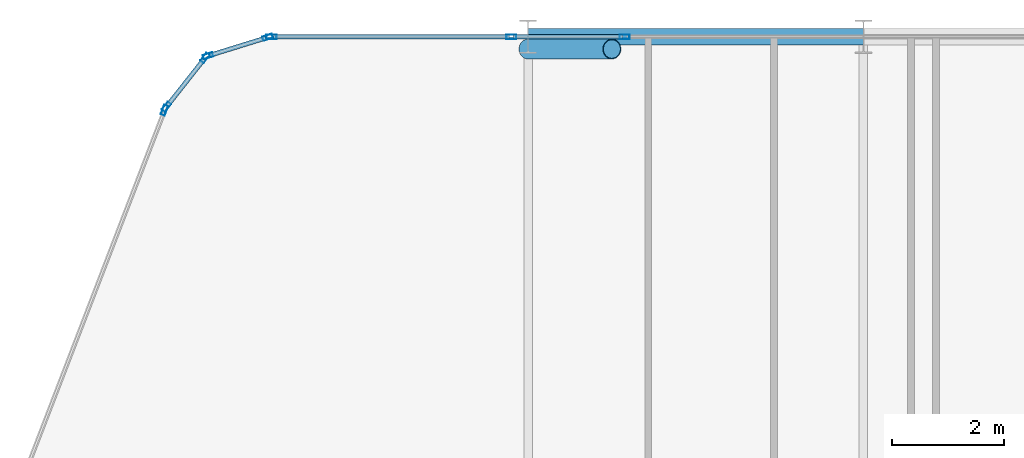
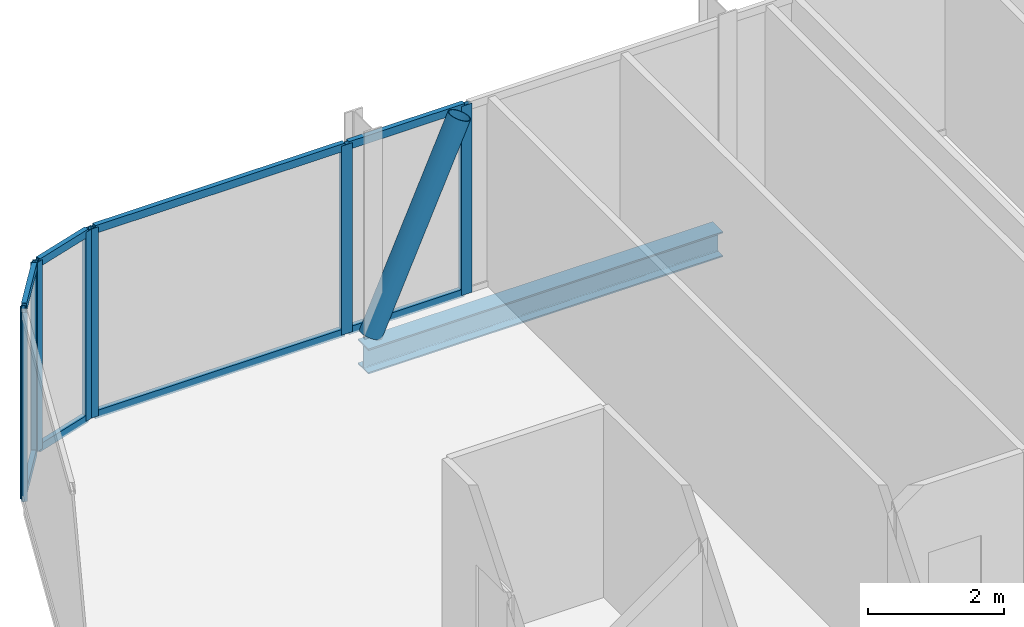
# One storey, part 16 of 29: 17 members, 1 beam, 5 elements without a shape of their own.
"""IFC4 building model written with IfcOpenShell, lengths in metres."""

from ifc_helpers import new_model, si_unit, direction, frame, origin, origin_2d, place, context, subcontext, project, spatial, hollow_rectangle, hollow_circle, i_section, extrude, material, layer, layer_set, material_profile, profile_set, type_object, element, aggregate, save


model = new_model("IFC4")

# Units and contexts
model_context = context("Model", 3, precision=1e-05, world=origin(), true_north=direction((0.0, 1.0)))
body_context = subcontext(model_context, "Body", "Model", "MODEL_VIEW")
ifc_project = project(units=[si_unit("LENGTHUNIT", "METRE"), si_unit("AREAUNIT", "SQUARE_METRE"), si_unit("VOLUMEUNIT", "CUBIC_METRE"), si_unit("PLANEANGLEUNIT", "RADIAN"), si_unit("MASSUNIT", "GRAM", prefix="KILO")], contexts=[model_context])

# Site, building, storey
site_placement = place(None, origin())
site = spatial("IfcSite", under=ifc_project, at=site_placement, CompositionType="ELEMENT")
building_placement = place(site_placement, origin())
building = spatial("IfcBuilding", under=site, at=building_placement, Name="Keshet Zoharim Tower", CompositionType="ELEMENT")
storey_placement = place(building_placement, frame((0.0, 0.0, 105.699951171875)))
storey = spatial("IfcBuildingStorey", under=building, at=storey_placement, Name="L25", CompositionType="ELEMENT", Elevation=105.699951171875)

# Beam
ifc_material_1 = material(Name="Steel S355", Category="steel")
ifc_material_profile_1 = material_profile(ifc_material_1, i_section(OverallWidth=0.300048828125, OverallDepth=0.449951171875, WebThickness=0.013916015625, FlangeThickness=0.02587890625, FilletRadius=0.027099609375, at=origin_2d()), Name="HEB450")
ifc_profile_set_1 = profile_set([ifc_material_profile_1], Name="Steel S355")
beam_type = type_object("IfcBeamType", Name="BM-WEB-HB450", PredefinedType="BEAM", material=ifc_profile_set_1)
beam_placement = place(storey_placement, frame((21.0, 53.89990234375, -0.5400390625), z_axis=(1.0, 0.0, 0.0), x_axis=(0.0, 1.0, 0.0)))
element("IfcBeam", 1, at=beam_placement, inside=storey, type_object=beam_type, Name="L25 Primary Girder X-019", PredefinedType="BEAM", context=body_context, shape_type="SweptSolid", body=[
    extrude(i_section(OverallWidth=0.300048828125, OverallDepth=0.449951171875, WebThickness=0.013916015625, FlangeThickness=0.02587890625, FilletRadius=0.027099609375, at=origin_2d()), origin(), (0.0, 0.0, 1.0), 6.0),
])

# Curtain wall, member
ifc_material_2 = material(Name="Aluminium 6063-T6", Category="aluminium")
ifc_layer = layer(ifc_material_2, 0.159912109375)
ifc_layer_set = layer_set([ifc_layer], Name="Aluminium 6063-T6")
curtain_wall_type = type_object("IfcCurtainWallType", Name="CW-SYS-03", PredefinedType="NOTDEFINED", material=ifc_layer_set)
curtain_wall_1_placement = place(storey_placement, origin())
curtain_wall_1 = element("IfcCurtainWall", 2, at=curtain_wall_1_placement, inside=storey, type_object=curtain_wall_type, Name="L25 Unitised Curtain Wall 10", PredefinedType="NOTDEFINED")
ifc_material_profile_2 = material_profile(ifc_material_2, hollow_rectangle(XDim=0.080078125, YDim=0.179931640625, WallThickness=0.00439453125, at=origin_2d()), Name="MUL-80x180")
ifc_profile_set_2 = profile_set([ifc_material_profile_2], Name="Aluminium 6063-T6")
member_type_1 = type_object("IfcMemberType", Name="CWM-M18", PredefinedType="MULLION", material=ifc_profile_set_2)
member_1_placement = place(storey_placement, frame((14.494384765625, 52.58544921875, 0.0), z_axis=(0.0, 0.0, 1.0), x_axis=(-0.933341404361, 0.358990003907, 0.0)))
member_1 = element("IfcMember", 3, at=member_1_placement, type_object=member_type_1, Name="CW-03 mullion 4", PredefinedType="MULLION", context=body_context, shape_type="SweptSolid", body=[
    extrude(hollow_rectangle(XDim=0.080078125, YDim=0.179931640625, WallThickness=0.00439453125, at=origin_2d()), origin(), (0.0, 0.0, 1.0), 3.385009765625),
])
aggregate(curtain_wall_1, [member_1])

# Curtain wall, members
curtain_wall_2_placement = place(storey_placement, origin())
curtain_wall_2 = element("IfcCurtainWall", 4, at=curtain_wall_2_placement, inside=storey, type_object=curtain_wall_type, Name="L25 Unitised Curtain Wall 11", PredefinedType="NOTDEFINED")
member_2_placement = place(storey_placement, frame((14.528564453125, 52.6455078125, 0.0), z_axis=(0.0, 0.0, 1.0), x_axis=(-0.785292825205, 0.619124525989, 0.0)))
member_2 = element("IfcMember", 5, at=member_2_placement, type_object=member_type_1, Name="CW-03 mullion 1", PredefinedType="MULLION", context=body_context, shape_type="SweptSolid", body=[
    extrude(hollow_rectangle(XDim=0.080078125, YDim=0.179931640625, WallThickness=0.00439453125, at=origin_2d()), origin(), (0.0, 0.0, 1.0), 3.385009765625),
])
member_3_placement = place(storey_placement, frame((15.21923828125, 53.521484375, 0.0), z_axis=(0.0, 0.0, 1.0), x_axis=(-0.785292825205, 0.619124525989, 0.0)))
member_3 = element("IfcMember", 6, at=member_3_placement, type_object=member_type_1, Name="CW-03 mullion 2", PredefinedType="MULLION", context=body_context, shape_type="SweptSolid", body=[
    extrude(hollow_rectangle(XDim=0.080078125, YDim=0.179931640625, WallThickness=0.00439453125, at=origin_2d()), origin(), (0.0, 0.0, 1.0), 3.385009765625),
])

curtain_wall_3_placement = place(storey_placement, origin())
curtain_wall_3 = element("IfcCurtainWall", 7, at=curtain_wall_3_placement, inside=storey, type_object=curtain_wall_type, Name="L25 Unitised Curtain Wall 12", PredefinedType="NOTDEFINED")
member_4_placement = place(storey_placement, frame((15.2744140625, 53.559326171875, 0.0), z_axis=(0.0, 0.0, 1.0), x_axis=(-0.295921857984, 0.955212151288, 0.0)))
member_4 = element("IfcMember", 8, at=member_4_placement, type_object=member_type_1, Name="CW-03 mullion 1", PredefinedType="MULLION", context=body_context, shape_type="SweptSolid", body=[
    extrude(hollow_rectangle(XDim=0.080078125, YDim=0.179931640625, WallThickness=0.00439453125, at=origin_2d()), origin(), (0.0, 0.0, 1.0), 3.385009765625),
])
member_5_placement = place(storey_placement, frame((16.340576171875, 53.8896484375, 0.0), z_axis=(0.0, 0.0, 1.0), x_axis=(-0.295921857984, 0.955212151288, 0.0)))
member_5 = element("IfcMember", 9, at=member_5_placement, type_object=member_type_1, Name="CW-03 mullion 2", PredefinedType="MULLION", context=body_context, shape_type="SweptSolid", body=[
    extrude(hollow_rectangle(XDim=0.080078125, YDim=0.179931640625, WallThickness=0.00439453125, at=origin_2d()), origin(), (0.0, 0.0, 1.0), 3.385009765625),
])

curtain_wall_4_placement = place(storey_placement, origin())
curtain_wall_4 = element("IfcCurtainWall", 10, at=curtain_wall_4_placement, inside=storey, type_object=curtain_wall_type, Name="L25 Unitised Curtain Wall 13", PredefinedType="NOTDEFINED")
member_6_placement = place(storey_placement, frame((16.408935546875, 53.89990234375, 0.0), z_axis=(0.0, 0.0, 1.0), x_axis=(0.0, 1.0, 0.0)))
member_6 = element("IfcMember", 11, at=member_6_placement, type_object=member_type_1, Name="CW-03 mullion 1", PredefinedType="MULLION", context=body_context, shape_type="SweptSolid", body=[
    extrude(hollow_rectangle(XDim=0.080078125, YDim=0.179931640625, WallThickness=0.00439453125, at=origin_2d()), origin(), (0.0, 0.0, 1.0), 3.385009765625),
])
member_7_placement = place(storey_placement, frame((20.702392578125, 53.89990234375, 0.0), z_axis=(0.0, 0.0, 1.0), x_axis=(0.0, 1.0, 0.0)))
member_7 = element("IfcMember", 12, at=member_7_placement, type_object=member_type_1, Name="CW-03 mullion 2", PredefinedType="MULLION", context=body_context, shape_type="SweptSolid", body=[
    extrude(hollow_rectangle(XDim=0.080078125, YDim=0.179931640625, WallThickness=0.00439453125, at=origin_2d()), origin(), (0.0, 0.0, 1.0), 3.385009765625),
])

# Curtain wall, member
curtain_wall_5_placement = place(storey_placement, origin())
curtain_wall_5 = element("IfcCurtainWall", 13, at=curtain_wall_5_placement, inside=storey, type_object=curtain_wall_type, Name="L25 Unitised Curtain Wall 13 Part 2", PredefinedType="NOTDEFINED")
member_8_placement = place(storey_placement, frame((22.7275390625, 53.89990234375, 0.0), z_axis=(0.0, 0.0, 1.0), x_axis=(0.0, 1.0, 0.0)))
member_8 = element("IfcMember", 14, at=member_8_placement, type_object=member_type_1, Name="CW-03 mullion 2", PredefinedType="MULLION", context=body_context, shape_type="SweptSolid", body=[
    extrude(hollow_rectangle(XDim=0.080078125, YDim=0.179931640625, WallThickness=0.00439453125, at=origin_2d()), origin(), (0.0, 0.0, 1.0), 3.385009765625),
])

# Member
ifc_material_profile_3 = material_profile(ifc_material_2, hollow_rectangle(XDim=0.080078125, YDim=0.139892578125, WallThickness=0.00390625, at=origin_2d()), Name="TRN-80x140")
ifc_profile_set_3 = profile_set([ifc_material_profile_3], Name="Aluminium 6063-T6")
member_type_2 = type_object("IfcMemberType", Name="CWT-T14", PredefinedType="USERDEFINED", material=ifc_profile_set_3)
member_9_placement = place(storey_placement, frame((14.55029296875, 52.6728515625, 0.03515625), z_axis=(0.619099165969, 0.78531281837, 0.0), x_axis=(-0.78531281837, 0.619099165969, 0.0)))
member_9 = element("IfcMember", 15, at=member_9_placement, type_object=member_type_2, Name="CW-03 transom 1.1", ObjectType="TRANSOM", PredefinedType="USERDEFINED", context=body_context, shape_type="SweptSolid", body=[
    extrude(hollow_rectangle(XDim=0.080078125, YDim=0.139892578125, WallThickness=0.00390625, at=origin_2d()), origin(), (0.0, 0.0, 1.0), 1.0458984375),
])

member_10_placement = place(storey_placement, frame((14.55029296875, 52.6728515625, 3.35009765625), z_axis=(0.619099165969, 0.78531281837, 0.0), x_axis=(-0.78531281837, 0.619099165969, 0.0)))
member_10 = element("IfcMember", 16, at=member_10_placement, type_object=member_type_2, Name="CW-03 transom 1.2", ObjectType="TRANSOM", PredefinedType="USERDEFINED", context=body_context, shape_type="SweptSolid", body=[
    extrude(hollow_rectangle(XDim=0.080078125, YDim=0.139892578125, WallThickness=0.00390625, at=origin_2d()), origin(), (0.0, 0.0, 1.0), 1.0458984375),
])

aggregate(curtain_wall_2, [member_2, member_3, member_9, member_10])

member_11_placement = place(storey_placement, frame((15.307861328125, 53.56982421875, 0.03515625), z_axis=(0.955212093062, 0.295922045933, 0.0), x_axis=(-0.295922045933, 0.955212093062, 0.0)))
member_11 = element("IfcMember", 17, at=member_11_placement, type_object=member_type_2, Name="CW-03 transom 1.1", ObjectType="TRANSOM", PredefinedType="USERDEFINED", context=body_context, shape_type="SweptSolid", body=[
    extrude(hollow_rectangle(XDim=0.080078125, YDim=0.139892578125, WallThickness=0.00390625, at=origin_2d()), origin(), (0.0, 0.0, 1.0), 1.046142578125),
])

member_12_placement = place(storey_placement, frame((15.307861328125, 53.56982421875, 3.35009765625), z_axis=(0.955212093062, 0.295922045933, 0.0), x_axis=(-0.295922045933, 0.955212093062, 0.0)))
member_12 = element("IfcMember", 18, at=member_12_placement, type_object=member_type_2, Name="CW-03 transom 1.2", ObjectType="TRANSOM", PredefinedType="USERDEFINED", context=body_context, shape_type="SweptSolid", body=[
    extrude(hollow_rectangle(XDim=0.080078125, YDim=0.139892578125, WallThickness=0.00390625, at=origin_2d()), origin(), (0.0, 0.0, 1.0), 1.046142578125),
])

aggregate(curtain_wall_3, [member_4, member_5, member_11, member_12])

member_13_placement = place(storey_placement, frame((16.444091796875, 53.89990234375, 0.03515625), z_axis=(1.0, 0.0, 0.0), x_axis=(0.0, 1.0, 0.0)))
member_13 = element("IfcMember", 19, at=member_13_placement, type_object=member_type_2, Name="CW-03 transom 1.1", ObjectType="TRANSOM", PredefinedType="USERDEFINED", context=body_context, shape_type="SweptSolid", body=[
    extrude(hollow_rectangle(XDim=0.080078125, YDim=0.139892578125, WallThickness=0.00390625, at=origin_2d()), origin(), (0.0, 0.0, 1.0), 4.223388671875),
])

member_14_placement = place(storey_placement, frame((16.444091796875, 53.89990234375, 3.35009765625), z_axis=(1.0, 0.0, 0.0), x_axis=(0.0, 1.0, 0.0)))
member_14 = element("IfcMember", 20, at=member_14_placement, type_object=member_type_2, Name="CW-03 transom 1.2", ObjectType="TRANSOM", PredefinedType="USERDEFINED", context=body_context, shape_type="SweptSolid", body=[
    extrude(hollow_rectangle(XDim=0.080078125, YDim=0.139892578125, WallThickness=0.00390625, at=origin_2d()), origin(), (0.0, 0.0, 1.0), 4.223388671875),
])

aggregate(curtain_wall_4, [member_6, member_7, member_13, member_14])

member_15_placement = place(storey_placement, frame((20.7373046875, 53.89990234375, 0.03515625), z_axis=(1.0, 0.0, 0.0), x_axis=(0.0, 1.0, 0.0)))
member_15 = element("IfcMember", 21, at=member_15_placement, type_object=member_type_2, Name="CW-03 transom 1.1", ObjectType="TRANSOM", PredefinedType="USERDEFINED", context=body_context, shape_type="SweptSolid", body=[
    extrude(hollow_rectangle(XDim=0.080078125, YDim=0.139892578125, WallThickness=0.00390625, at=origin_2d()), origin(), (0.0, 0.0, 1.0), 1.955322265625),
])

member_16_placement = place(storey_placement, frame((20.7373046875, 53.89990234375, 3.35009765625), z_axis=(1.0, 0.0, 0.0), x_axis=(0.0, 1.0, 0.0)))
member_16 = element("IfcMember", 22, at=member_16_placement, type_object=member_type_2, Name="CW-03 transom 1.2", ObjectType="TRANSOM", PredefinedType="USERDEFINED", context=body_context, shape_type="SweptSolid", body=[
    extrude(hollow_rectangle(XDim=0.080078125, YDim=0.139892578125, WallThickness=0.00390625, at=origin_2d()), origin(), (0.0, 0.0, 1.0), 1.955322265625),
])

aggregate(curtain_wall_5, [member_8, member_15, member_16])

ifc_material_profile_4 = material_profile(ifc_material_1, hollow_circle(Radius=0.177734375, WallThickness=0.012451171875, at=origin_2d()), Name="CHS355x12.5")
ifc_profile_set_4 = profile_set([ifc_material_profile_4], Name="Steel S355")
member_type_3 = type_object("IfcMemberType", Name="MB-BR-C355", PredefinedType="BRACE", material=ifc_profile_set_4)
member_17_placement = place(storey_placement, frame((21.0, 53.679931640625, 0.0), z_axis=(0.405134846829, 0.0, 0.91425694194), x_axis=(0.0, 1.0, 0.0)))
element("IfcMember", 23, at=member_17_placement, inside=storey, type_object=member_type_3, Name="L25 Perimeter Tube Brace 02", PredefinedType="BRACE", context=body_context, shape_type="SweptSolid", body=[
    extrude(hollow_circle(Radius=0.177734375, WallThickness=0.012451171875, at=origin_2d()), origin(), (0.0, 0.0, 1.0), 3.702392578125),
])

save(model, "model.ifc")
